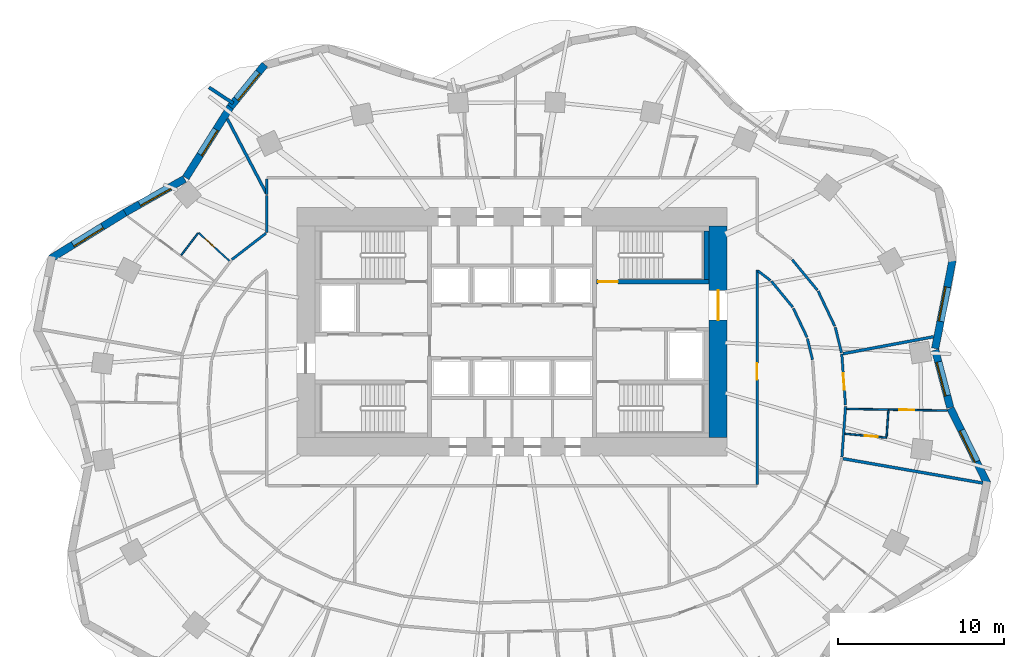
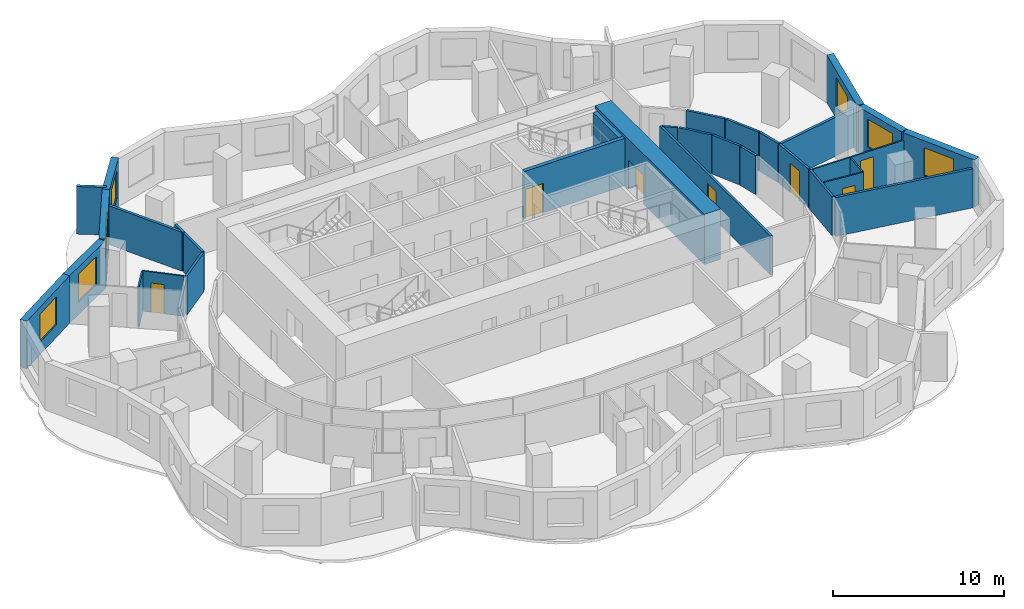
# One storey, part 7 of 10: 32 walls, 7 doors, 7 windows, 14 openings.
"""IFC4 building model written with IfcOpenShell, lengths in metres."""

from ifc_helpers import new_model, si_unit, direction, frame, frame_2d, origin, place, context, subcontext, project, spatial, rectangle, extrude, material, layer, layer_set, type_object, element, fill, save


model = new_model("IFC4")

# Units and contexts
model_context = context("Model", 3, precision=1e-05, world=origin(), true_north=direction((0.0, 1.0)))
body_context = subcontext(model_context, "Body", "Model", "MODEL_VIEW")
ifc_project = project(units=[si_unit("LENGTHUNIT", "METRE"), si_unit("AREAUNIT", "SQUARE_METRE"), si_unit("VOLUMEUNIT", "CUBIC_METRE"), si_unit("PLANEANGLEUNIT", "RADIAN"), si_unit("MASSUNIT", "GRAM", prefix="KILO")], contexts=[model_context])

# Site, building, storey
site_placement = place(None, origin())
site = spatial("IfcSite", under=ifc_project, at=site_placement, CompositionType="ELEMENT")
building_placement = place(site_placement, origin())
building = spatial("IfcBuilding", under=site, at=building_placement, Name="Rubra Terraces Tower", CompositionType="ELEMENT")
storey_placement = place(building_placement, frame((0.0, 0.0, 88.800048828125)))
storey = spatial("IfcBuildingStorey", under=building, at=storey_placement, Name="L20", CompositionType="ELEMENT", Elevation=88.800048828125)

# Walls
ifc_material_1 = material(Name="Twin plasterboard on staggered steel stud, acoustic mineral wool", Category="steel")
ifc_layer_1 = layer(ifc_material_1, 0.175048828125)
ifc_layer_set_1 = layer_set([ifc_layer_1], Name="Twin plasterboard on staggered steel stud, acoustic mineral wool")
wall_type_1 = type_object("IfcWallType", Name="ACOUSTIC PARTY WALL 175", PredefinedType="PARTITIONING", material=ifc_layer_set_1)
wall_1_placement = place(storey_placement, frame((-17.19287109375, 17.35986328125, 0.0), z_axis=(0.0, 0.0, 1.0), x_axis=(0.46402494572, -0.885822132118, 0.0)))
element("IfcWall", 1, at=wall_1_placement, inside=storey, type_object=wall_type_1, Name="PARTITION", PredefinedType="PARTITIONING", context=body_context, shape_type="SweptSolid", body=[
    extrude(rectangle(XDim=5.08203125, YDim=0.175048828125, at=frame_2d((2.541015625, 0.0))), origin(), (0.0, 0.0, 1.0), 2.783935546875),
])
wall_2_placement = place(storey_placement, frame((28.435791015625, -4.63818359375, 0.0), z_axis=(0.0, 0.0, 1.0), x_axis=(-0.985072773891, 0.172138404023, 0.0)))
element("IfcWall", 2, at=wall_2_placement, inside=storey, type_object=wall_type_1, Name="PARTITION", PredefinedType="PARTITIONING", context=body_context, shape_type="SweptSolid", body=[
    extrude(rectangle(XDim=8.56787109375, YDim=0.175048828125, at=frame_2d((4.283935546875, 0.0))), origin(), (0.0, 0.0, 1.0), 2.783935546875),
])
wall_3_placement = place(storey_placement, frame((25.466796875, 4.198974609375, 0.0), z_axis=(0.0, 0.0, 1.0), x_axis=(-0.982999998107, -0.183605565608, 0.0)))
element("IfcWall", 3, at=wall_3_placement, inside=storey, type_object=wall_type_1, Name="PARTITION", PredefinedType="PARTITIONING", context=body_context, shape_type="SweptSolid", body=[
    extrude(rectangle(XDim=5.56884765625, YDim=0.175048828125, at=frame_2d((2.784423828125, 0.0))), origin(), (0.0, 0.0, 1.0), 2.783935546875),
])

# Wall, opening, window
ifc_material_2 = material(Name="Brick masonry red-brown", Category="masonry")
ifc_layer_2 = layer(ifc_material_2, 0.449951171875)
ifc_layer_set_2 = layer_set([ifc_layer_2], Name="Brick masonry red-brown")
wall_type_2 = type_object("IfcWallType", Name="Brick facade wall 450", PredefinedType="SOLIDWALL", material=ifc_layer_set_2)
wall_4_placement = place(storey_placement, frame((26.469482421875, -0.0791015625, 0.0), z_axis=(0.0, 0.0, 1.0), x_axis=(-0.252446779859, 0.967610780913, 0.0)))
wall_4 = element("IfcWall", 4, at=wall_4_placement, inside=storey, type_object=wall_type_2, Name="Facade wall L20 bay 1", PredefinedType="SOLIDWALL", context=body_context, shape_type="SweptSolid", body=[
    extrude(rectangle(XDim=3.5947265625, YDim=0.449951171875, at=frame_2d((1.79736328125, 0.0))), origin(), (0.0, 0.0, 1.0), 3.39990234375),
])
opening_1_placement = place(wall_4_placement, frame((0.747314453125, 0.0, 0.89990234375)))
opening_1 = element("IfcOpeningElement", 5, at=opening_1_placement, cuts=wall_4, Name="Opening W1", PredefinedType="OPENING", context=body_context, shape_type="SweptSolid", body=[
    extrude(rectangle(XDim=2.10009765625, YDim=2.0, at=frame_2d((1.050048828125, 1.0))), frame((0.0, 0.23486328125, 0.0), z_axis=(0.0, -1.0, 0.0), x_axis=(1.0, 0.0, 0.0)), (0.0, 0.0, 1.0), 0.469970703125),
])
ifc_material_3 = material(Name="Clear glass in aluminium frame", Category="aluminium")
window_type_1 = type_object("IfcWindowType", Name="Fixed deep-set window 2100 x 2000", PartitioningType="SINGLE_PANEL", PredefinedType="WINDOW", material=ifc_material_3)
window_1_placement = place(opening_1_placement, origin())
window_1 = element("IfcWindow", 6, at=window_1_placement, inside=storey, type_object=window_type_1, Name="Window L20 bay 1", OverallHeight=2.0, OverallWidth=2.10009765625, PartitioningType="SINGLE_PANEL", PredefinedType="WINDOW", context=body_context, shape_type="SweptSolid", body=[
    extrude(rectangle(XDim=2.10009765625, YDim=2.0, at=frame_2d((1.050048828125, 1.0))), frame((0.0, 0.135009765625, 0.0), z_axis=(0.0, -1.0, 0.0), x_axis=(1.0, 0.0, 0.0)), (0.0, 0.0, 1.0), 0.06005859375),
])
fill(opening_1, window_1)

wall_5_placement = place(storey_placement, frame((25.561279296875, 3.490478515625, 0.0), z_axis=(0.0, 0.0, 1.0), x_axis=(0.192494026297, 0.981298145234, 0.0)))
wall_5 = element("IfcWall", 7, at=wall_5_placement, inside=storey, type_object=wall_type_2, Name="Facade wall L20 bay 2", PredefinedType="SOLIDWALL", context=body_context, shape_type="SweptSolid", body=[
    extrude(rectangle(XDim=5.446044921875, YDim=0.449951171875, at=frame_2d((2.72314453125, 0.0))), origin(), (0.0, 0.0, 1.0), 3.39990234375),
])
opening_2_placement = place(wall_5_placement, frame((1.673095703125, 0.0, 0.89990234375)))
opening_2 = element("IfcOpeningElement", 8, at=opening_2_placement, cuts=wall_5, Name="Opening W1", PredefinedType="OPENING", context=body_context, shape_type="SweptSolid", body=[
    extrude(rectangle(XDim=2.10009765625, YDim=2.0, at=frame_2d((1.050048828125, 1.0))), frame((0.0, 0.23486328125, 0.0), z_axis=(0.0, -1.0, 0.0), x_axis=(1.0, 0.0, 0.0)), (0.0, 0.0, 1.0), 0.469970703125),
])
window_2_placement = place(opening_2_placement, origin())
window_2 = element("IfcWindow", 9, at=window_2_placement, inside=storey, type_object=window_type_1, Name="Window L20 bay 2", OverallHeight=2.0, OverallWidth=2.10009765625, PartitioningType="SINGLE_PANEL", PredefinedType="WINDOW", context=body_context, shape_type="SweptSolid", body=[
    extrude(rectangle(XDim=2.10009765625, YDim=2.0, at=frame_2d((1.050048828125, 1.0))), frame((0.0, 0.135009765625, 0.0), z_axis=(0.0, -1.0, 0.0), x_axis=(1.0, 0.0, 0.0)), (0.0, 0.0, 1.0), 0.06005859375),
])
fill(opening_2, window_2)

wall_6_placement = place(storey_placement, frame((-14.925537109375, 20.640869140625, 0.0), z_axis=(0.0, 0.0, 1.0), x_axis=(-0.631548074669, -0.775336720001, 0.0)))
wall_6 = element("IfcWall", 10, at=wall_6_placement, inside=storey, type_object=wall_type_2, Name="Facade wall L20 bay 15", PredefinedType="SOLIDWALL", context=body_context, shape_type="SweptSolid", body=[
    extrude(rectangle(XDim=3.3076171875, YDim=0.449951171875, at=frame_2d((1.65380859375, 0.0))), origin(), (0.0, 0.0, 1.0), 3.39990234375),
])
opening_3_placement = place(wall_6_placement, frame((0.603759765625, 0.0, 0.89990234375)))
opening_3 = element("IfcOpeningElement", 11, at=opening_3_placement, cuts=wall_6, Name="Opening W1", PredefinedType="OPENING", context=body_context, shape_type="SweptSolid", body=[
    extrude(rectangle(XDim=2.10009765625, YDim=2.0, at=frame_2d((1.050048828125, 1.0))), frame((0.0, 0.23486328125, 0.0), z_axis=(0.0, -1.0, 0.0), x_axis=(1.0, 0.0, 0.0)), (0.0, 0.0, 1.0), 0.469970703125),
])
window_3_placement = place(opening_3_placement, origin())
window_3 = element("IfcWindow", 12, at=window_3_placement, inside=storey, type_object=window_type_1, Name="Window L20 bay 15", OverallHeight=2.0, OverallWidth=2.10009765625, PartitioningType="SINGLE_PANEL", PredefinedType="WINDOW", context=body_context, shape_type="SweptSolid", body=[
    extrude(rectangle(XDim=2.10009765625, YDim=2.0, at=frame_2d((1.050048828125, 1.0))), frame((0.0, 0.135009765625, 0.0), z_axis=(0.0, -1.0, 0.0), x_axis=(1.0, 0.0, 0.0)), (0.0, 0.0, 1.0), 0.06005859375),
])
fill(opening_3, window_3)

wall_7_placement = place(storey_placement, frame((-16.998291015625, 18.0986328125, 0.0), z_axis=(0.0, 0.0, 1.0), x_axis=(-0.532745661304, -0.846275404559, 0.0)))
wall_7 = element("IfcWall", 13, at=wall_7_placement, inside=storey, type_object=wall_type_2, Name="Facade wall L20 bay 16", PredefinedType="SOLIDWALL", context=body_context, shape_type="SweptSolid", body=[
    extrude(rectangle(XDim=5.076171875, YDim=0.449951171875, at=frame_2d((2.5380859375, 0.0))), origin(), (0.0, 0.0, 1.0), 3.39990234375),
])
opening_4_placement = place(wall_7_placement, frame((1.63818359375, 0.0, 0.89990234375)))
opening_4 = element("IfcOpeningElement", 14, at=opening_4_placement, cuts=wall_7, Name="Opening W6", PredefinedType="OPENING", context=body_context, shape_type="SweptSolid", body=[
    extrude(rectangle(XDim=1.800048828125, YDim=2.0, at=frame_2d((0.89990234375, 1.0))), frame((0.0, 0.23486328125, 0.0), z_axis=(0.0, -1.0, 0.0), x_axis=(1.0, 0.0, 0.0)), (0.0, 0.0, 1.0), 0.469970703125),
])
window_type_2 = type_object("IfcWindowType", Name="Fixed deep-set window at wind fin 1800 x 2000", PartitioningType="SINGLE_PANEL", PredefinedType="WINDOW", material=ifc_material_3)
window_4_placement = place(opening_4_placement, origin())
window_4 = element("IfcWindow", 15, at=window_4_placement, inside=storey, type_object=window_type_2, Name="Window L20 bay 16", OverallHeight=2.0, OverallWidth=1.800048828125, PartitioningType="SINGLE_PANEL", PredefinedType="WINDOW", context=body_context, shape_type="SweptSolid", body=[
    extrude(rectangle(XDim=1.800048828125, YDim=2.0, at=frame_2d((0.89990234375, 1.0))), frame((0.0, 0.135009765625, 0.0), z_axis=(0.0, -1.0, 0.0), x_axis=(1.0, 0.0, 0.0)), (0.0, 0.0, 1.0), 0.06005859375),
])
fill(opening_4, window_4)

wall_8_placement = place(storey_placement, frame((-19.77587890625, 13.730712890625, 0.0), z_axis=(0.0, 0.0, 1.0), x_axis=(-0.870610133829, -0.491973571318, 0.0)))
wall_8 = element("IfcWall", 16, at=wall_8_placement, inside=storey, type_object=wall_type_2, Name="Facade wall L20 bay 17", PredefinedType="SOLIDWALL", context=body_context, shape_type="SweptSolid", body=[
    extrude(rectangle(XDim=4.1337890625, YDim=0.449951171875, at=frame_2d((2.06689453125, 0.0))), origin(), (0.0, 0.0, 1.0), 3.39990234375),
])
opening_5_placement = place(wall_8_placement, frame((1.016845703125, 0.0, 0.89990234375)))
opening_5 = element("IfcOpeningElement", 17, at=opening_5_placement, cuts=wall_8, Name="Opening W1", PredefinedType="OPENING", context=body_context, shape_type="SweptSolid", body=[
    extrude(rectangle(XDim=2.10009765625, YDim=2.0, at=frame_2d((1.050048828125, 1.0))), frame((0.0, 0.23486328125, 0.0), z_axis=(0.0, -1.0, 0.0), x_axis=(1.0, 0.0, 0.0)), (0.0, 0.0, 1.0), 0.469970703125),
])
window_5_placement = place(opening_5_placement, origin())
window_5 = element("IfcWindow", 18, at=window_5_placement, inside=storey, type_object=window_type_1, Name="Window L20 bay 17", OverallHeight=2.0, OverallWidth=2.10009765625, PartitioningType="SINGLE_PANEL", PredefinedType="WINDOW", context=body_context, shape_type="SweptSolid", body=[
    extrude(rectangle(XDim=2.10009765625, YDim=2.0, at=frame_2d((1.050048828125, 1.0))), frame((0.0, 0.135009765625, 0.0), z_axis=(0.0, -1.0, 0.0), x_axis=(1.0, 0.0, 0.0)), (0.0, 0.0, 1.0), 0.06005859375),
])
fill(opening_5, window_5)

wall_9_placement = place(storey_placement, frame((-23.368408203125, 11.700927734375, 0.0), z_axis=(0.0, 0.0, 1.0), x_axis=(-0.850251408633, -0.526376806211, 0.0)))
wall_9 = element("IfcWall", 19, at=wall_9_placement, inside=storey, type_object=wall_type_2, Name="Facade wall L20 bay 18", PredefinedType="SOLIDWALL", context=body_context, shape_type="SweptSolid", body=[
    extrude(rectangle(XDim=5.30224609375, YDim=0.449951171875, at=frame_2d((2.651123046875, 0.0))), origin(), (0.0, 0.0, 1.0), 3.39990234375),
])
opening_6_placement = place(wall_9_placement, frame((1.601318359375, 0.0, 0.89990234375)))
opening_6 = element("IfcOpeningElement", 20, at=opening_6_placement, cuts=wall_9, Name="Opening W1", PredefinedType="OPENING", context=body_context, shape_type="SweptSolid", body=[
    extrude(rectangle(XDim=2.10009765625, YDim=2.0, at=frame_2d((1.050048828125, 1.0))), frame((0.0, 0.23486328125, 0.0), z_axis=(0.0, -1.0, 0.0), x_axis=(1.0, 0.0, 0.0)), (0.0, 0.0, 1.0), 0.469970703125),
])
window_6_placement = place(opening_6_placement, origin())
window_6 = element("IfcWindow", 21, at=window_6_placement, inside=storey, type_object=window_type_1, Name="Window L20 bay 18", OverallHeight=2.0, OverallWidth=2.10009765625, PartitioningType="SINGLE_PANEL", PredefinedType="WINDOW", context=body_context, shape_type="SweptSolid", body=[
    extrude(rectangle(XDim=2.10009765625, YDim=2.0, at=frame_2d((1.050048828125, 1.0))), frame((0.0, 0.135009765625, 0.0), z_axis=(0.0, -1.0, 0.0), x_axis=(1.0, 0.0, 0.0)), (0.0, 0.0, 1.0), 0.06005859375),
])
fill(opening_6, window_6)

wall_10_placement = place(storey_placement, frame((28.70703125, -4.672119140625, 0.0), z_axis=(0.0, 0.0, 1.0), x_axis=(-0.439053549989, 0.898460895221, 0.0)))
wall_10 = element("IfcWall", 22, at=wall_10_placement, inside=storey, type_object=wall_type_2, Name="Facade wall L20 bay 40", PredefinedType="SOLIDWALL", context=body_context, shape_type="SweptSolid", body=[
    extrude(rectangle(XDim=5.061767578125, YDim=0.449951171875, at=frame_2d((2.53076171875, 0.0))), origin(), (0.0, 0.0, 1.0), 3.39990234375),
])
opening_7_placement = place(wall_10_placement, frame((1.48095703125, 0.0, 0.89990234375)))
opening_7 = element("IfcOpeningElement", 23, at=opening_7_placement, cuts=wall_10, Name="Opening W1", PredefinedType="OPENING", context=body_context, shape_type="SweptSolid", body=[
    extrude(rectangle(XDim=2.10009765625, YDim=2.0, at=frame_2d((1.050048828125, 1.0))), frame((0.0, 0.23486328125, 0.0), z_axis=(0.0, -1.0, 0.0), x_axis=(1.0, 0.0, 0.0)), (0.0, 0.0, 1.0), 0.469970703125),
])
window_7_placement = place(opening_7_placement, origin())
window_7 = element("IfcWindow", 24, at=window_7_placement, inside=storey, type_object=window_type_1, Name="Window L20 bay 40", OverallHeight=2.0, OverallWidth=2.10009765625, PartitioningType="SINGLE_PANEL", PredefinedType="WINDOW", context=body_context, shape_type="SweptSolid", body=[
    extrude(rectangle(XDim=2.10009765625, YDim=2.0, at=frame_2d((1.050048828125, 1.0))), frame((0.0, 0.135009765625, 0.0), z_axis=(0.0, -1.0, 0.0), x_axis=(1.0, 0.0, 0.0)), (0.0, 0.0, 1.0), 0.06005859375),
])
fill(opening_7, window_7)

# Wall
ifc_layer_3 = layer(ifc_material_2, 0.199951171875)
ifc_layer_set_3 = layer_set([ifc_layer_3], Name="Brick masonry red-brown")
wall_type_3 = type_object("IfcWallType", Name="Brick wind fin 200", PredefinedType="SOLIDWALL", material=ifc_layer_set_3)
wall_11_placement = place(storey_placement, frame((-16.837890625, 18.298095703125, 0.0), z_axis=(0.0, 0.0, 1.0), x_axis=(-0.835871900419, 0.548924554097, 0.0)))
element("IfcWall", 25, at=wall_11_placement, inside=storey, type_object=wall_type_3, Name="Wind fin L20 9", PredefinedType="SOLIDWALL", context=body_context, shape_type="SweptSolid", body=[
    extrude(rectangle(XDim=1.750244140625, YDim=0.199951171875, at=frame_2d((0.875, 0.0))), origin(), (0.0, 0.0, 1.0), 3.39990234375),
])

# Wall, opening, door
ifc_material_4 = material(Name="Concrete C60", Category="concrete")
ifc_layer_4 = layer(ifc_material_4, 1.10009765625)
ifc_layer_set_4 = layer_set([ifc_layer_4], Name="Concrete C60")
wall_type_4 = type_object("IfcWallType", Name="CORE WALL 1100 C60", PredefinedType="SHEAR", material=ifc_layer_set_4)
wall_12_placement = place(storey_placement, frame((12.449951171875, -1.89990234375, 0.0), z_axis=(0.0, 0.0, 1.0), x_axis=(0.0, 1.0, 0.0)))
wall_12 = element("IfcWall", 26, at=wall_12_placement, inside=storey, type_object=wall_type_4, Name="CORE WALL E L20", PredefinedType="SHEAR", context=body_context, shape_type="SweptSolid", body=[
    extrude(rectangle(XDim=12.7998046875, YDim=1.10009765625, at=frame_2d((6.39990234375, 0.0))), origin(), (0.0, 0.0, 1.0), 3.599853515625),
])
opening_8_placement = place(wall_12_placement, frame((7.10009765625, 0.0, 0.0)))
opening_8 = element("IfcOpeningElement", 27, at=opening_8_placement, cuts=wall_12, Name="Opening L20.C02", PredefinedType="OPENING", context=body_context, shape_type="SweptSolid", body=[
    extrude(rectangle(XDim=1.800048828125, YDim=2.10009765625, at=frame_2d((0.89990234375, 1.050048828125))), frame((0.0, 0.56005859375, 0.0), z_axis=(0.0, -1.0, 0.0), x_axis=(1.0, 0.0, 0.0)), (0.0, 0.0, 1.0), 1.1201171875),
])
ifc_material_5 = material(Name="Painted steel", Category="steel")
door_type_1 = type_object("IfcDoorType", Name="Fire door 1800x2100 double", OperationType="NOTDEFINED", PredefinedType="DOOR", material=ifc_material_5)
door_1_placement = place(opening_8_placement, origin())
door_1 = element("IfcDoor", 28, at=door_1_placement, inside=storey, type_object=door_type_1, Name="Core entrance door FF2", OperationType="DOUBLE_DOOR_SINGLE_SWING", OverallHeight=2.10009765625, OverallWidth=1.800048828125, PredefinedType="DOOR", context=body_context, shape_type="SweptSolid", body=[
    extrude(rectangle(XDim=1.800048828125, YDim=2.10009765625, at=frame_2d((0.89990234375, 1.050048828125))), frame((0.0, 0.02490234375, 0.0), z_axis=(0.0, -1.0, 0.0), x_axis=(1.0, 0.0, 0.0)), (0.0, 0.0, 1.0), 0.050048828125),
])
fill(opening_8, door_1)

# Walls
ifc_material_6 = material(Name="Plasterboard on steel stud, mineral wool infill", Category="steel")
ifc_layer_5 = layer(ifc_material_6, 0.14990234375)
ifc_layer_set_5 = layer_set([ifc_layer_5], Name="Plasterboard on steel stud, mineral wool infill")
wall_type_5 = type_object("IfcWallType", Name="CORRIDOR PARTITION 150", PredefinedType="PARTITIONING", material=ifc_layer_set_5)
wall_13_placement = place(storey_placement, frame((-14.800048828125, 13.72509765625, 0.0), z_axis=(0.0, 0.0, 1.0), x_axis=(0.0, -1.0, 0.0)))
element("IfcWall", 29, at=wall_13_placement, inside=storey, type_object=wall_type_5, Name="PARTITION", PredefinedType="PARTITIONING", context=body_context, shape_type="SweptSolid", body=[
    extrude(rectangle(XDim=0.933349609375, YDim=0.14990234375, at=frame_2d((0.466796875, 0.0))), origin(), (0.0, 0.0, 1.0), 2.783935546875),
])
wall_14_placement = place(storey_placement, frame((-14.800048828125, 12.716796875, 0.0), z_axis=(0.0, 0.0, 1.0), x_axis=(0.0, -1.0, 0.0)))
element("IfcWall", 30, at=wall_14_placement, inside=storey, type_object=wall_type_5, Name="PARTITION", PredefinedType="PARTITIONING", context=body_context, shape_type="SweptSolid", body=[
    extrude(rectangle(XDim=2.219970703125, YDim=0.14990234375, at=frame_2d((1.10986328125, 0.0))), origin(), (0.0, 0.0, 1.0), 2.783935546875),
])
wall_15_placement = place(storey_placement, frame((-14.859619140625, 10.451171875, 0.0), z_axis=(0.0, 0.0, 1.0), x_axis=(-0.791542595332, -0.611113999001, 0.0)))
element("IfcWall", 31, at=wall_15_placement, inside=storey, type_object=wall_type_5, Name="PARTITION", PredefinedType="PARTITIONING", context=body_context, shape_type="SweptSolid", body=[
    extrude(rectangle(XDim=2.604736328125, YDim=0.14990234375, at=frame_2d((1.30224609375, 0.0))), origin(), (0.0, 0.0, 1.0), 2.783935546875),
])
wall_16_placement = place(storey_placement, frame((19.92724609375, -3.07568359375, 0.0), z_axis=(0.0, 0.0, 1.0), x_axis=(0.071888451482, 0.997412678155, 0.0)))
element("IfcWall", 32, at=wall_16_placement, inside=storey, type_object=wall_type_5, Name="PARTITION", PredefinedType="PARTITIONING", context=body_context, shape_type="SweptSolid", body=[
    extrude(rectangle(XDim=3.083740234375, YDim=0.14990234375, at=frame_2d((1.5419921875, 0.0))), origin(), (0.0, 0.0, 1.0), 2.783935546875),
])

# Wall, opening, door
wall_17_placement = place(storey_placement, frame((20.1435546875, 0.07470703125, 0.0), z_axis=(0.0, 0.0, 1.0), x_axis=(-0.072547105324, 0.997364987108, 0.0)))
wall_17 = element("IfcWall", 33, at=wall_17_placement, inside=storey, type_object=wall_type_5, Name="PARTITION", PredefinedType="PARTITIONING", context=body_context, shape_type="SweptSolid", body=[
    extrude(rectangle(XDim=3.095947265625, YDim=0.14990234375, at=frame_2d((1.5478515625, 0.0))), origin(), (0.0, 0.0, 1.0), 2.783935546875),
])
opening_9_placement = place(wall_17_placement, frame((0.93310546875, 0.0, 0.0)))
opening_9 = element("IfcOpeningElement", 34, at=opening_9_placement, cuts=wall_17, Name="Opening 20-126", PredefinedType="OPENING", context=body_context, shape_type="SweptSolid", body=[
    extrude(rectangle(XDim=1.0, YDim=2.10009765625, at=frame_2d((0.5, 1.050048828125))), frame((0.0, 0.0849609375, 0.0), z_axis=(0.0, -1.0, 0.0), x_axis=(1.0, 0.0, 0.0)), (0.0, 0.0, 1.0), 0.169921875),
])
ifc_material_7 = material(Name="Painted timber door leaf", Category="wood")
door_type_2 = type_object("IfcDoorType", Name="ROOM DOOR 1000 X 2100", OperationType="SINGLE_SWING_LEFT", PredefinedType="DOOR", material=ifc_material_7)
door_2_placement = place(opening_9_placement, origin())
door_2 = element("IfcDoor", 35, at=door_2_placement, inside=storey, type_object=door_type_2, Name="DOOR 20-126", OperationType="SINGLE_SWING_RIGHT", OverallHeight=2.10009765625, OverallWidth=1.0, PredefinedType="DOOR", context=body_context, shape_type="SweptSolid", body=[
    extrude(rectangle(XDim=1.0, YDim=2.10009765625, at=frame_2d((0.5, 1.050048828125))), frame((0.0, 0.02490234375, 0.0), z_axis=(0.0, -1.0, 0.0), x_axis=(1.0, 0.0, 0.0)), (0.0, 0.0, 1.0), 0.050048828125),
])
fill(opening_9, door_2)

# Walls
wall_18_placement = place(storey_placement, frame((19.901123046875, 3.235595703125, 0.0), z_axis=(0.0, 0.0, 1.0), x_axis=(-0.236778045029, 0.971563769082, 0.0)))
element("IfcWall", 36, at=wall_18_placement, inside=storey, type_object=wall_type_5, Name="PARTITION", PredefinedType="PARTITIONING", context=body_context, shape_type="SweptSolid", body=[
    extrude(rectangle(XDim=1.57763671875, YDim=0.14990234375, at=frame_2d((0.788818359375, 0.0))), origin(), (0.0, 0.0, 1.0), 2.783935546875),
])
wall_19_placement = place(storey_placement, frame((19.495361328125, 4.836181640625, 0.0), z_axis=(0.0, 0.0, 1.0), x_axis=(-0.428157819028, 0.903703979191, 0.0)))
element("IfcWall", 37, at=wall_19_placement, inside=storey, type_object=wall_type_5, Name="PARTITION", PredefinedType="PARTITIONING", context=body_context, shape_type="SweptSolid", body=[
    extrude(rectangle(XDim=2.349365234375, YDim=0.14990234375, at=frame_2d((1.1748046875, 0.0))), origin(), (0.0, 0.0, 1.0), 2.783935546875),
])
wall_20_placement = place(storey_placement, frame((18.44189453125, 7.01708984375, 0.0), z_axis=(0.0, 0.0, 1.0), x_axis=(-0.636538018119, 0.7712453251, 0.0)))
element("IfcWall", 38, at=wall_20_placement, inside=storey, type_object=wall_type_5, Name="PARTITION", PredefinedType="PARTITIONING", context=body_context, shape_type="SweptSolid", body=[
    extrude(rectangle(XDim=2.388671875, YDim=0.14990234375, at=frame_2d((1.1943359375, 0.0))), origin(), (0.0, 0.0, 1.0), 2.783935546875),
])
wall_21_placement = place(storey_placement, frame((15.66162109375, 7.557861328125, 0.0), z_axis=(0.0, 0.0, 1.0), x_axis=(0.636500564941, -0.7712762351, 0.0)))
element("IfcWall", 39, at=wall_21_placement, inside=storey, type_object=wall_type_5, Name="PARTITION", PredefinedType="PARTITIONING", context=body_context, shape_type="SweptSolid", body=[
    extrude(rectangle(XDim=2.037841796875, YDim=0.14990234375, at=frame_2d((1.01904296875, 0.0))), origin(), (0.0, 0.0, 1.0), 2.783935546875),
])
wall_22_placement = place(storey_placement, frame((16.990966796875, 5.918212890625, 0.0), z_axis=(0.0, 0.0, 1.0), x_axis=(0.428199863362, -0.903684058185, 0.0)))
element("IfcWall", 40, at=wall_22_placement, inside=storey, type_object=wall_type_5, Name="PARTITION", PredefinedType="PARTITIONING", context=body_context, shape_type="SweptSolid", body=[
    extrude(rectangle(XDim=1.94140625, YDim=0.14990234375, at=frame_2d((0.970703125, 0.0))), origin(), (0.0, 0.0, 1.0), 2.783935546875),
])
wall_23_placement = place(storey_placement, frame((17.840087890625, 4.0908203125, 0.0), z_axis=(0.0, 0.0, 1.0), x_axis=(0.236653741324, -0.971594054489, 0.0)))
element("IfcWall", 41, at=wall_23_placement, inside=storey, type_object=wall_type_5, Name="PARTITION", PredefinedType="PARTITIONING", context=body_context, shape_type="SweptSolid", body=[
    extrude(rectangle(XDim=1.319580078125, YDim=0.14990234375, at=frame_2d((0.65966796875, 0.0))), origin(), (0.0, 0.0, 1.0), 2.783935546875),
])

# Wall, opening, door
wall_24_placement = place(storey_placement, frame((14.800048828125, -4.72509765625, 0.0), z_axis=(0.0, 0.0, 1.0), x_axis=(0.0, 1.0, 0.0)))
wall_24 = element("IfcWall", 42, at=wall_24_placement, inside=storey, type_object=wall_type_5, Name="PARTITION", PredefinedType="PARTITIONING", context=body_context, shape_type="SweptSolid", body=[
    extrude(rectangle(XDim=12.947998046875, YDim=0.14990234375, at=frame_2d((6.47412109375, 0.0))), origin(), (0.0, 0.0, 1.0), 2.783935546875),
])
opening_10_placement = place(wall_24_placement, frame((6.3359375, 0.0, 0.0)))
opening_10 = element("IfcOpeningElement", 43, at=opening_10_placement, cuts=wall_24, Name="Opening 20-133", PredefinedType="OPENING", context=body_context, shape_type="SweptSolid", body=[
    extrude(rectangle(XDim=1.0, YDim=2.10009765625, at=frame_2d((0.5, 1.050048828125))), frame((0.0, 0.0849609375, 0.0), z_axis=(0.0, -1.0, 0.0), x_axis=(1.0, 0.0, 0.0)), (0.0, 0.0, 1.0), 0.169921875),
])
door_3_placement = place(opening_10_placement, origin())
door_3 = element("IfcDoor", 44, at=door_3_placement, inside=storey, type_object=door_type_2, Name="DOOR 20-133", OperationType="SINGLE_SWING_RIGHT", OverallHeight=2.10009765625, OverallWidth=1.0, PredefinedType="DOOR", context=body_context, shape_type="SweptSolid", body=[
    extrude(rectangle(XDim=1.0, YDim=2.10009765625, at=frame_2d((0.5, 1.050048828125))), frame((0.0, 0.02490234375, 0.0), z_axis=(0.0, -1.0, 0.0), x_axis=(1.0, 0.0, 0.0)), (0.0, 0.0, 1.0), 0.050048828125),
])
fill(opening_10, door_3)

# Walls
wall_25_placement = place(storey_placement, frame((14.859375, 8.177001953125, 0.0), z_axis=(0.0, 0.0, 1.0), x_axis=(0.791588113465, -0.611055037309, 0.0)))
element("IfcWall", 45, at=wall_25_placement, inside=storey, type_object=wall_type_5, Name="PARTITION", PredefinedType="PARTITIONING", context=body_context, shape_type="SweptSolid", body=[
    extrude(rectangle(XDim=0.9384765625, YDim=0.14990234375, at=frame_2d((0.46923828125, 0.0))), origin(), (0.0, 0.0, 1.0), 2.783935546875),
])
ifc_material_8 = material(Name="Concrete C40", Category="concrete")
ifc_layer_6 = layer(ifc_material_8, 0.300048828125)
ifc_layer_set_6 = layer_set([ifc_layer_6], Name="Concrete C40")
wall_type_6 = type_object("IfcWallType", Name="Core lining wall 300 concrete", PredefinedType="SOLIDWALL", material=ifc_layer_set_6)
wall_26_placement = place(storey_placement, frame((11.75, 10.60009765625, 0.0), z_axis=(0.0, 0.0, 1.0), x_axis=(0.0, -1.0, 0.0)))
element("IfcWall", 46, at=wall_26_placement, inside=storey, type_object=wall_type_6, Name="CORE LINING WALL L20", PredefinedType="SOLIDWALL", context=body_context, shape_type="SweptSolid", body=[
    extrude(rectangle(XDim=2.9501953125, YDim=0.300048828125, at=frame_2d((1.47509765625, 0.0))), origin(), (0.0, 0.0, 1.0), 3.39990234375),
])

# Wall, opening, door
ifc_material_9 = material(Name="Plasterboard on steel stud", Category="steel")
ifc_layer_7 = layer(ifc_material_9, 0.10009765625)
ifc_layer_set_7 = layer_set([ifc_layer_7], Name="Plasterboard on steel stud")
wall_type_7 = type_object("IfcWallType", Name="ROOM PARTITION 100", PredefinedType="PARTITIONING", material=ifc_layer_set_7)
wall_27_placement = place(storey_placement, frame((-17.072021484375, 8.784423828125, 0.0), z_axis=(0.0, 0.0, 1.0), x_axis=(-0.739033715027, 0.673668440743, 0.0)))
wall_27 = element("IfcWall", 47, at=wall_27_placement, inside=storey, type_object=wall_type_7, Name="PARTITION", PredefinedType="PARTITIONING", context=body_context, shape_type="SweptSolid", body=[
    extrude(rectangle(XDim=2.52490234375, YDim=0.10009765625, at=frame_2d((1.262451171875, 0.0))), origin(), (0.0, 0.0, 1.0), 2.884033203125),
])
opening_11_placement = place(wall_27_placement, frame((1.199951171875, 0.0, 0.0)))
opening_11 = element("IfcOpeningElement", 48, at=opening_11_placement, cuts=wall_27, Name="Opening 20-106", PredefinedType="OPENING", context=body_context, shape_type="SweptSolid", body=[
    extrude(rectangle(XDim=0.800048828125, YDim=2.10009765625, at=frame_2d((0.39990234375, 1.050048828125))), frame((0.0, 0.06005859375, 0.0), z_axis=(0.0, -1.0, 0.0), x_axis=(1.0, 0.0, 0.0)), (0.0, 0.0, 1.0), 0.1201171875),
])
door_type_3 = type_object("IfcDoorType", Name="BATHROOM DOOR 800 X 2100", OperationType="SINGLE_SWING_LEFT", PredefinedType="DOOR", material=ifc_material_7)
door_4_placement = place(opening_11_placement, origin())
door_4 = element("IfcDoor", 49, at=door_4_placement, inside=storey, type_object=door_type_3, Name="DOOR 20-106", OperationType="SINGLE_SWING_LEFT", OverallHeight=2.10009765625, OverallWidth=0.800048828125, PredefinedType="DOOR", context=body_context, shape_type="SweptSolid", body=[
    extrude(rectangle(XDim=0.800048828125, YDim=2.10009765625, at=frame_2d((0.39990234375, 1.050048828125))), frame((0.0, 0.02490234375, 0.0), z_axis=(0.0, -1.0, 0.0), x_axis=(1.0, 0.0, 0.0)), (0.0, 0.0, 1.0), 0.050048828125),
])
fill(opening_11, door_4)

# Wall
wall_28_placement = place(storey_placement, frame((-18.968505859375, 10.44580078125, 0.0), z_axis=(0.0, 0.0, 1.0), x_axis=(-0.609696547105, -0.792634922551, 0.0)))
element("IfcWall", 50, at=wall_28_placement, inside=storey, type_object=wall_type_7, Name="PARTITION", PredefinedType="PARTITIONING", context=body_context, shape_type="SweptSolid", body=[
    extrude(rectangle(XDim=1.66015625, YDim=0.10009765625, at=frame_2d((0.830078125, 0.0))), origin(), (0.0, 0.0, 1.0), 2.884033203125),
])

# Wall, opening, door
wall_29_placement = place(storey_placement, frame((26.300537109375, -0.26025390625, 0.0), z_axis=(0.0, 0.0, 1.0), x_axis=(-0.999854069841, 0.017083296585, 0.0)))
wall_29 = element("IfcWall", 51, at=wall_29_placement, inside=storey, type_object=wall_type_7, Name="PARTITION", PredefinedType="PARTITIONING", context=body_context, shape_type="SweptSolid", body=[
    extrude(rectangle(XDim=6.088134765625, YDim=0.10009765625, at=frame_2d((3.0439453125, 0.0))), origin(), (0.0, 0.0, 1.0), 2.884033203125),
])
opening_12_placement = place(wall_29_placement, frame((2.012939453125, 0.0, 0.0)))
opening_12 = element("IfcOpeningElement", 52, at=opening_12_placement, cuts=wall_29, Name="Opening 20-125", PredefinedType="OPENING", context=body_context, shape_type="SweptSolid", body=[
    extrude(rectangle(XDim=0.89990234375, YDim=2.39990234375, at=frame_2d((0.449951171875, 1.199951171875))), frame((0.0, 0.06005859375, 0.0), z_axis=(0.0, -1.0, 0.0), x_axis=(1.0, 0.0, 0.0)), (0.0, 0.0, 1.0), 0.1201171875),
])
ifc_material_10 = material(Name="Veneered timber door leaf, fire-rated", Category="wood")
door_type_4 = type_object("IfcDoorType", Name="SUITE ENTRANCE DOOR 900 X 2400", OperationType="SINGLE_SWING_LEFT", PredefinedType="DOOR", material=ifc_material_10)
door_5_placement = place(opening_12_placement, origin())
door_5 = element("IfcDoor", 53, at=door_5_placement, inside=storey, type_object=door_type_4, Name="DOOR 20-125", OperationType="SINGLE_SWING_LEFT", OverallHeight=2.39990234375, OverallWidth=0.89990234375, PredefinedType="DOOR", context=body_context, shape_type="SweptSolid", body=[
    extrude(rectangle(XDim=0.89990234375, YDim=2.39990234375, at=frame_2d((0.449951171875, 1.199951171875))), frame((0.0, 0.02490234375, 0.0), z_axis=(0.0, -1.0, 0.0), x_axis=(1.0, 0.0, 0.0)), (0.0, 0.0, 1.0), 0.050048828125),
])
fill(opening_12, door_5)

wall_30_placement = place(storey_placement, frame((20.110595703125, -1.65869140625, 0.0), z_axis=(0.0, 0.0, 1.0), x_axis=(0.995500685727, -0.094754338774, 0.0)))
wall_30 = element("IfcWall", 54, at=wall_30_placement, inside=storey, type_object=wall_type_7, Name="PARTITION", PredefinedType="PARTITIONING", context=body_context, shape_type="SweptSolid", body=[
    extrude(rectangle(XDim=2.525146484375, YDim=0.10009765625, at=frame_2d((1.2626953125, 0.0))), origin(), (0.0, 0.0, 1.0), 2.884033203125),
])
opening_13_placement = place(wall_30_placement, frame((1.199951171875, 0.0, 0.0)))
opening_13 = element("IfcOpeningElement", 55, at=opening_13_placement, cuts=wall_30, Name="Opening 20-124", PredefinedType="OPENING", context=body_context, shape_type="SweptSolid", body=[
    extrude(rectangle(XDim=0.800048828125, YDim=2.10009765625, at=frame_2d((0.39990234375, 1.050048828125))), frame((0.0, 0.06005859375, 0.0), z_axis=(0.0, -1.0, 0.0), x_axis=(1.0, 0.0, 0.0)), (0.0, 0.0, 1.0), 0.1201171875),
])
door_6_placement = place(opening_13_placement, origin())
door_6 = element("IfcDoor", 56, at=door_6_placement, inside=storey, type_object=door_type_3, Name="DOOR 20-124", OperationType="SINGLE_SWING_LEFT", OverallHeight=2.10009765625, OverallWidth=0.800048828125, PredefinedType="DOOR", context=body_context, shape_type="SweptSolid", body=[
    extrude(rectangle(XDim=0.800048828125, YDim=2.10009765625, at=frame_2d((0.39990234375, 1.050048828125))), frame((0.0, 0.02490234375, 0.0), z_axis=(0.0, -1.0, 0.0), x_axis=(1.0, 0.0, 0.0)), (0.0, 0.0, 1.0), 0.050048828125),
])
fill(opening_13, door_6)

# Wall
wall_31_placement = place(storey_placement, frame((22.62744140625, -1.84814453125, 0.0), z_axis=(0.0, 0.0, 1.0), x_axis=(0.066883035763, 0.997760822806, 0.0)))
element("IfcWall", 57, at=wall_31_placement, inside=storey, type_object=wall_type_7, Name="PARTITION", PredefinedType="PARTITIONING", context=body_context, shape_type="SweptSolid", body=[
    extrude(rectangle(XDim=1.6025390625, YDim=0.10009765625, at=frame_2d((0.80126953125, 0.0))), origin(), (0.0, 0.0, 1.0), 2.884033203125),
])

# Wall, opening, door
ifc_layer_8 = layer(ifc_material_8, 0.25)
ifc_layer_set_8 = layer_set([ifc_layer_8], Name="Concrete C40")
wall_type_8 = type_object("IfcWallType", Name="Stair enclosure wall 250 concrete", PredefinedType="SOLIDWALL", material=ifc_layer_set_8)
wall_32_placement = place(storey_placement, frame((11.89990234375, 7.52490234375, 0.0), z_axis=(0.0, 0.0, 1.0), x_axis=(-1.0, 0.0, 0.0)))
wall_32 = element("IfcWall", 58, at=wall_32_placement, inside=storey, type_object=wall_type_8, Name="STAIR WALL L20", PredefinedType="SOLIDWALL", context=body_context, shape_type="SweptSolid", body=[
    extrude(rectangle(XDim=6.7998046875, YDim=0.25, at=frame_2d((3.39990234375, 0.0))), origin(), (0.0, 0.0, 1.0), 3.39990234375),
])
opening_14_placement = place(wall_32_placement, frame((5.5, 0.0, 0.0)))
opening_14 = element("IfcOpeningElement", 59, at=opening_14_placement, cuts=wall_32, Name="Opening L20.C08", PredefinedType="OPENING", context=body_context, shape_type="SweptSolid", body=[
    extrude(rectangle(XDim=1.199951171875, YDim=2.10009765625, at=frame_2d((0.60009765625, 1.050048828125))), frame((0.0, 0.135009765625, 0.0), z_axis=(0.0, -1.0, 0.0), x_axis=(1.0, 0.0, 0.0)), (0.0, 0.0, 1.0), 0.27001953125),
])
door_type_5 = type_object("IfcDoorType", Name="Fire door 1200x2100 single", OperationType="NOTDEFINED", PredefinedType="DOOR", material=ifc_material_5)
door_7_placement = place(opening_14_placement, origin())
door_7 = element("IfcDoor", 60, at=door_7_placement, inside=storey, type_object=door_type_5, Name="Stair door S3", OperationType="SINGLE_SWING_RIGHT", OverallHeight=2.10009765625, OverallWidth=1.199951171875, PredefinedType="DOOR", context=body_context, shape_type="SweptSolid", body=[
    extrude(rectangle(XDim=1.199951171875, YDim=2.10009765625, at=frame_2d((0.60009765625, 1.050048828125))), frame((0.0, 0.02490234375, 0.0), z_axis=(0.0, -1.0, 0.0), x_axis=(1.0, 0.0, 0.0)), (0.0, 0.0, 1.0), 0.050048828125),
])
fill(opening_14, door_7)

save(model, "model.ifc")
